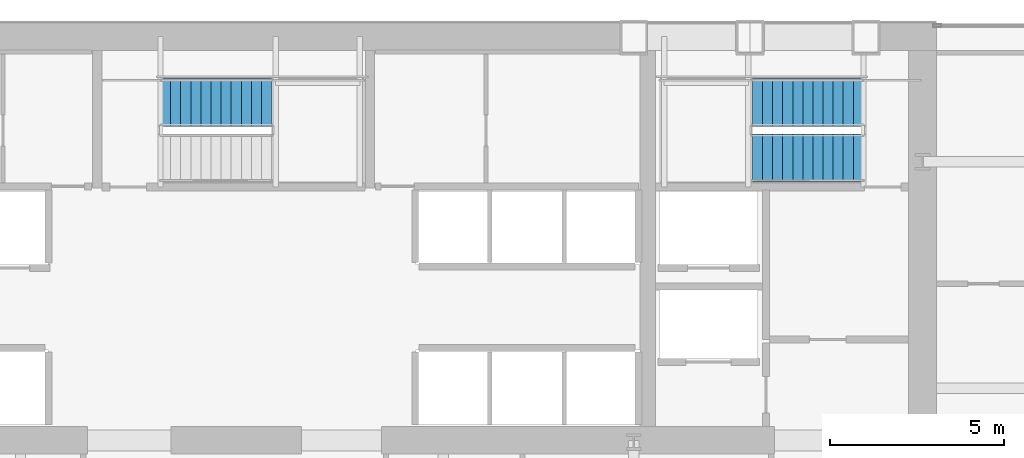
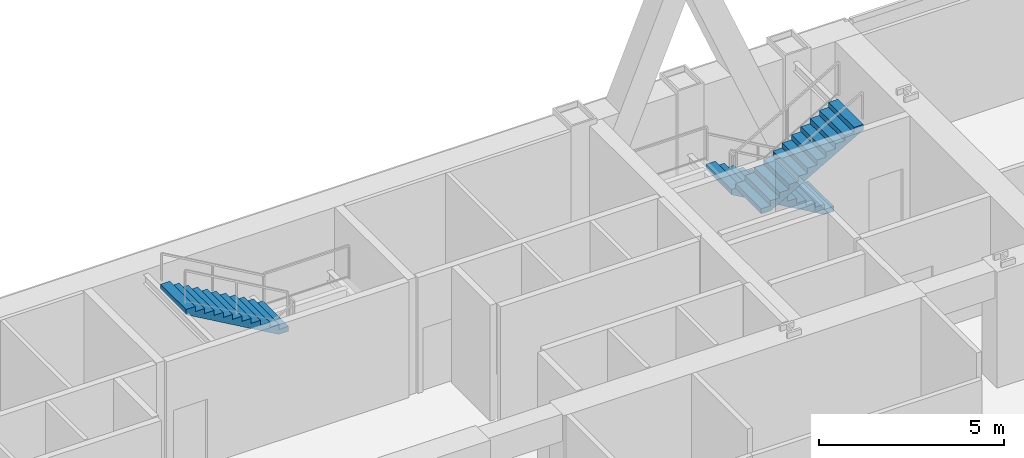
# One storey, part 31 of 33: 3 stair flights, 2 elements without a shape of their own.
"""IFC4 building model written with IfcOpenShell, lengths in metres."""

from ifc_helpers import new_model, si_unit, direction, frame, origin, place, context, subcontext, project, spatial, polyline, outline, extrude, material, type_object, element, aggregate, save


model = new_model("IFC4")

# Units and contexts
model_context = context("Model", 3, precision=1e-05, world=origin(), true_north=direction((0.0, 1.0)))
body_context = subcontext(model_context, "Body", "Model", "MODEL_VIEW")
ifc_project = project(units=[si_unit("LENGTHUNIT", "METRE"), si_unit("AREAUNIT", "SQUARE_METRE"), si_unit("VOLUMEUNIT", "CUBIC_METRE"), si_unit("PLANEANGLEUNIT", "RADIAN"), si_unit("MASSUNIT", "GRAM", prefix="KILO")], contexts=[model_context])

# Site, building, storey
site_placement = place(None, origin())
site = spatial("IfcSite", under=ifc_project, at=site_placement, CompositionType="ELEMENT")
building_placement = place(site_placement, origin())
building = spatial("IfcBuilding", under=site, at=building_placement, Name="Khoronbel Lancet Exchange", CompositionType="ELEMENT")
storey_placement = place(building_placement, frame((0.0, 0.0, 73.800048828125)))
storey = spatial("IfcBuildingStorey", under=building, at=storey_placement, Name="L17", CompositionType="ELEMENT", Elevation=73.800048828125)

# Stair, stair flights
ifc_material = material(Name="Concrete C40/50", Category="concrete")
stair_type = type_object("IfcStairType", Name="STR-CORE150", PredefinedType="HALF_TURN_STAIR", material=ifc_material)
stair_1_placement = place(storey_placement, origin())
stair_1 = element("IfcStair", 1, at=stair_1_placement, inside=storey, type_object=stair_type, Name="L17 Protected Exit Stair ST2", PredefinedType="HALF_TURN_STAIR")
stair_flight_type = type_object("IfcStairFlightType", Name="STF-150", PredefinedType="STRAIGHT", material=ifc_material)
stair_flight_1_placement = place(storey_placement, frame((54.60009765625, 51.409912109375, 0.0), z_axis=(0.0, 0.0, 1.0), x_axis=(-1.0, 0.0, 0.0)))
stair_flight_1 = element("IfcStairFlight", 2, at=stair_flight_1_placement, type_object=stair_flight_type, Name="ST2 flight 1", NumberOfRisers=12, NumberOfTreads=11, PredefinedType="STRAIGHT", RiserHeight=0.166666667, TreadLength=0.29, context=body_context, shape_type="SweptSolid", body=[
    extrude(outline(polyline([(0.0, 0.0), (0.0, 0.166748046875), (0.2900390625, 0.166748046875), (0.2900390625, 0.333251953125), (0.580078125, 0.333251953125), (0.580078125, 0.5), (0.8701171875, 0.5), (0.8701171875, 0.666748046875), (1.159912109375, 0.666748046875), (1.159912109375, 0.833251953125), (1.449951171875, 0.833251953125), (1.449951171875, 1.0), (1.739990234375, 1.0), (1.739990234375, 1.166748046875), (2.030029296875, 1.166748046875), (2.030029296875, 1.333251953125), (2.320068359375, 1.333251953125), (2.320068359375, 1.5), (2.610107421875, 1.5), (2.610107421875, 1.666748046875), (2.89990234375, 1.666748046875), (2.89990234375, 1.833251953125), (3.18994140625, 1.833251953125), (3.18994140625, 2.0), (3.18994140625, 1.660400390625), (0.30078125, 0.0), (0.0, 0.0)])), frame((0.0, 0.68994140625, 0.0), z_axis=(0.0, -1.0, 0.0), x_axis=(1.0, 0.0, 0.0)), (0.0, 0.0, 1.0), 1.3798828125),
])
stair_flight_2_placement = place(storey_placement, frame((51.409912109375, 49.81005859375, 2.0), z_axis=(0.0, 0.0, 1.0), x_axis=(1.0, 0.0, 0.0)))
stair_flight_2 = element("IfcStairFlight", 3, at=stair_flight_2_placement, type_object=stair_flight_type, Name="ST2 flight 2", NumberOfRisers=12, NumberOfTreads=11, PredefinedType="STRAIGHT", RiserHeight=0.166666667, TreadLength=0.29, context=body_context, shape_type="SweptSolid", body=[
    extrude(outline(polyline([(0.0, 0.0), (0.0, 0.166748046875), (0.2900390625, 0.166748046875), (0.2900390625, 0.333251953125), (0.580078125, 0.333251953125), (0.580078125, 0.5), (0.8701171875, 0.5), (0.8701171875, 0.666748046875), (1.159912109375, 0.666748046875), (1.159912109375, 0.833251953125), (1.449951171875, 0.833251953125), (1.449951171875, 1.0), (1.739990234375, 1.0), (1.739990234375, 1.166748046875), (2.030029296875, 1.166748046875), (2.030029296875, 1.333251953125), (2.320068359375, 1.333251953125), (2.320068359375, 1.5), (2.610107421875, 1.5), (2.610107421875, 1.666748046875), (2.89990234375, 1.666748046875), (2.89990234375, 1.833251953125), (3.18994140625, 1.833251953125), (3.18994140625, 2.0), (3.18994140625, 1.660400390625), (0.30078125, 0.0), (0.0, 0.0)])), frame((0.0, 0.68994140625, 0.0), z_axis=(0.0, -1.0, 0.0), x_axis=(1.0, 0.0, 0.0)), (0.0, 0.0, 1.0), 1.3798828125),
])
aggregate(stair_1, [stair_flight_1, stair_flight_2])

# Stair, stair flight
stair_2_placement = place(storey_placement, origin())
stair_2 = element("IfcStair", 4, at=stair_2_placement, inside=storey, type_object=stair_type, Name="L17 Protected Exit Stair ST3", PredefinedType="HALF_TURN_STAIR")
stair_flight_3_placement = place(storey_placement, frame((37.590087890625, 51.409912109375, 2.0), z_axis=(0.0, 0.0, 1.0), x_axis=(-1.0, 0.0, 0.0)))
stair_flight_3 = element("IfcStairFlight", 5, at=stair_flight_3_placement, type_object=stair_flight_type, Name="ST3 flight 2", NumberOfRisers=12, NumberOfTreads=11, PredefinedType="STRAIGHT", RiserHeight=0.166666667, TreadLength=0.29, context=body_context, shape_type="SweptSolid", body=[
    extrude(outline(polyline([(0.0, 0.0), (0.0, 0.166748046875), (0.2900390625, 0.166748046875), (0.2900390625, 0.333251953125), (0.580078125, 0.333251953125), (0.580078125, 0.5), (0.8701171875, 0.5), (0.8701171875, 0.666748046875), (1.159912109375, 0.666748046875), (1.159912109375, 0.833251953125), (1.449951171875, 0.833251953125), (1.449951171875, 1.0), (1.739990234375, 1.0), (1.739990234375, 1.166748046875), (2.030029296875, 1.166748046875), (2.030029296875, 1.333251953125), (2.320068359375, 1.333251953125), (2.320068359375, 1.5), (2.610107421875, 1.5), (2.610107421875, 1.666748046875), (2.89990234375, 1.666748046875), (2.89990234375, 1.833251953125), (3.18994140625, 1.833251953125), (3.18994140625, 2.0), (3.18994140625, 1.660400390625), (0.30078125, 0.0), (0.0, 0.0)])), frame((0.0, 0.68994140625, 0.0), z_axis=(0.0, -1.0, 0.0), x_axis=(1.0, 0.0, 0.0)), (0.0, 0.0, 1.0), 1.3798828125),
])
aggregate(stair_2, [stair_flight_3])

save(model, "model.ifc")
